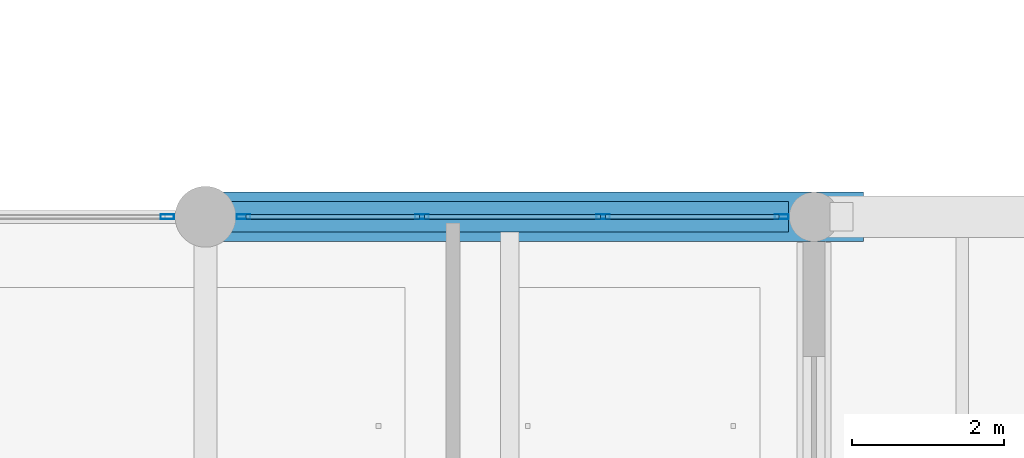
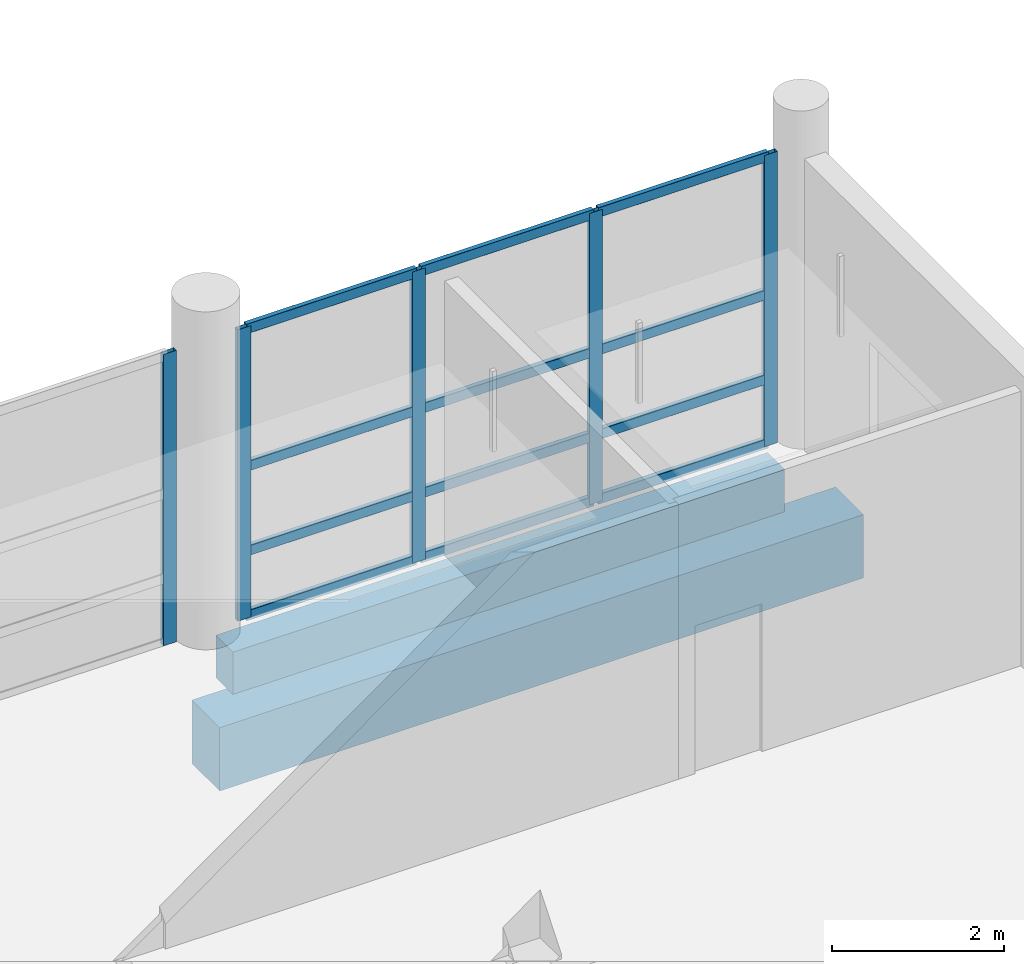
# One storey, part 31 of 107: 17 members, 2 beams, 2 elements without a shape of their own.
"""IFC4 building model written with IfcOpenShell, lengths in metres."""

from ifc_helpers import new_model, si_unit, direction, frame, origin, origin_2d, place, context, subcontext, project, spatial, rectangle, hollow_rectangle, extrude, material, material_profile, profile_set, type_object, element, aggregate, save


model = new_model("IFC4")

# Units and contexts
model_context = context("Model", 3, precision=1e-05, world=origin(), true_north=direction((0.0, 1.0)))
body_context = subcontext(model_context, "Body", "Model", "MODEL_VIEW")
ifc_project = project(units=[si_unit("LENGTHUNIT", "METRE"), si_unit("AREAUNIT", "SQUARE_METRE"), si_unit("VOLUMEUNIT", "CUBIC_METRE"), si_unit("PLANEANGLEUNIT", "RADIAN"), si_unit("MASSUNIT", "GRAM", prefix="KILO")], contexts=[model_context])

# Site, building, storey
site_placement = place(None, origin())
site = spatial("IfcSite", under=ifc_project, at=site_placement, CompositionType="ELEMENT")
building_placement = place(site_placement, origin())
building = spatial("IfcBuilding", under=site, at=building_placement, Name="Khelvaren Railside Concert Hall", CompositionType="ELEMENT")
storey_placement = place(building_placement, frame((0.0, 0.0, 15.0)))
storey = spatial("IfcBuildingStorey", under=building, at=storey_placement, Name="L03", CompositionType="ELEMENT", Elevation=15.0)

# Beam
ifc_material_1 = material(Name="Concrete C40/50", Category="concrete")
ifc_material_profile_1 = material_profile(ifc_material_1, rectangle(XDim=0.64990234375, YDim=0.89990234375, at=origin_2d()), Name="RCB 650x900")
ifc_profile_set_1 = profile_set([ifc_material_profile_1], Name="Concrete C40/50")
beam_type_1 = type_object("IfcBeamType", Name="BM18", PredefinedType="BEAM", material=ifc_profile_set_1)
beam_1_placement = place(storey_placement, frame((128.0, 15.199951171875, -1.639892578125), z_axis=(1.0, 0.0, 0.0), x_axis=(0.0, 1.0, 0.0)))
element("IfcBeam", 1, at=beam_1_placement, inside=storey, type_object=beam_type_1, Name="East Rehearsal Link Bridge L03 Seismic Corbel Seat 2", PredefinedType="BEAM", context=body_context, shape_type="SweptSolid", body=[
    extrude(rectangle(XDim=0.64990234375, YDim=0.89990234375, at=origin_2d()), origin(), (0.0, 0.0, 1.0), 8.64990234375),
])

# Curtain wall, member
ifc_material_2 = material(Name="Double-glazed low-E dark acoustic glass", Category="glass")
curtain_wall_type_1 = type_object("IfcCurtainWallType", Name="CW65", PredefinedType="USERDEFINED", material=ifc_material_2)
curtain_wall_1_placement = place(storey_placement, origin())
curtain_wall_1 = element("IfcCurtainWall", 2, at=curtain_wall_1_placement, inside=storey, type_object=curtain_wall_type_1, Name="Unitised Curtain Wall CW-V3-L03-N-120", ObjectType="UNITISED CURTAIN WALL", PredefinedType="USERDEFINED")
ifc_material_3 = material(Name="Anodised architectural aluminium 6063-T6", Category="aluminium")
ifc_material_profile_2 = material_profile(ifc_material_3, hollow_rectangle(XDim=0.06494140625, YDim=0.179931640625, WallThickness=0.00390625, InnerFilletRadius=0.001953125, OuterFilletRadius=0.00390625, at=origin_2d()), Name="CWM 65x180x4")
ifc_profile_set_2 = profile_set([ifc_material_profile_2], Name="Anodised architectural aluminium 6063-T6")
member_type_1 = type_object("IfcMemberType", Name="CWM63", PredefinedType="MULLION", material=ifc_profile_set_2)
member_1_placement = place(storey_placement, frame((127.5, 15.199951171875, 0.0), z_axis=(0.0, 0.0, 1.0), x_axis=(0.0, 1.0, 0.0)))
member_1 = element("IfcMember", 3, at=member_1_placement, type_object=member_type_1, Name="CW65 mullion 4", PredefinedType="MULLION", context=body_context, shape_type="SweptSolid", body=[
    extrude(hollow_rectangle(XDim=0.06494140625, YDim=0.179931640625, WallThickness=0.00390625, InnerFilletRadius=0.001953125, OuterFilletRadius=0.00390625, at=origin_2d()), origin(), (0.0, 0.0, 1.0), 4.139892578125),
])
aggregate(curtain_wall_1, [member_1])

# Curtain wall, members
curtain_wall_type_2 = type_object("IfcCurtainWallType", Name="CW69", PredefinedType="USERDEFINED", material=ifc_material_2)
curtain_wall_2_placement = place(storey_placement, origin())
curtain_wall_2 = element("IfcCurtainWall", 4, at=curtain_wall_2_placement, inside=storey, type_object=curtain_wall_type_2, Name="Unitised Curtain Wall CW-V3-L03-N-128", ObjectType="UNITISED CURTAIN WALL", PredefinedType="USERDEFINED")
member_2_placement = place(storey_placement, frame((128.5, 15.199951171875, 0.0), z_axis=(0.0, 0.0, 1.0), x_axis=(0.0, 1.0, 0.0)))
member_2 = element("IfcMember", 5, at=member_2_placement, type_object=member_type_1, Name="CW69 mullion 1", PredefinedType="MULLION", context=body_context, shape_type="SweptSolid", body=[
    extrude(hollow_rectangle(XDim=0.06494140625, YDim=0.179931640625, WallThickness=0.00390625, InnerFilletRadius=0.001953125, OuterFilletRadius=0.00390625, at=origin_2d()), origin(), (0.0, 0.0, 1.0), 4.139892578125),
])
member_3_placement = place(storey_placement, frame((130.847412109375, 15.199951171875, 0.0), z_axis=(0.0, 0.0, 1.0), x_axis=(0.0, 1.0, 0.0)))
member_3 = element("IfcMember", 6, at=member_3_placement, type_object=member_type_1, Name="CW69 mullion 2", PredefinedType="MULLION", context=body_context, shape_type="SweptSolid", body=[
    extrude(hollow_rectangle(XDim=0.06494140625, YDim=0.179931640625, WallThickness=0.00390625, InnerFilletRadius=0.001953125, OuterFilletRadius=0.00390625, at=origin_2d()), origin(), (0.0, 0.0, 1.0), 4.139892578125),
])
member_4_placement = place(storey_placement, frame((133.2275390625, 15.199951171875, 0.0), z_axis=(0.0, 0.0, 1.0), x_axis=(0.0, 1.0, 0.0)))
member_4 = element("IfcMember", 7, at=member_4_placement, type_object=member_type_1, Name="CW69 mullion 3", PredefinedType="MULLION", context=body_context, shape_type="SweptSolid", body=[
    extrude(hollow_rectangle(XDim=0.06494140625, YDim=0.179931640625, WallThickness=0.00390625, InnerFilletRadius=0.001953125, OuterFilletRadius=0.00390625, at=origin_2d()), origin(), (0.0, 0.0, 1.0), 4.139892578125),
])
member_5_placement = place(storey_placement, frame((135.574951171875, 15.199951171875, 0.0), z_axis=(0.0, 0.0, 1.0), x_axis=(0.0, 1.0, 0.0)))
member_5 = element("IfcMember", 8, at=member_5_placement, type_object=member_type_1, Name="CW69 mullion 4", PredefinedType="MULLION", context=body_context, shape_type="SweptSolid", body=[
    extrude(hollow_rectangle(XDim=0.06494140625, YDim=0.179931640625, WallThickness=0.00390625, InnerFilletRadius=0.001953125, OuterFilletRadius=0.00390625, at=origin_2d()), origin(), (0.0, 0.0, 1.0), 4.139892578125),
])
ifc_material_profile_3 = material_profile(ifc_material_3, hollow_rectangle(XDim=0.06494140625, YDim=0.139892578125, WallThickness=0.00390625, InnerFilletRadius=0.001953125, OuterFilletRadius=0.00390625, at=origin_2d()), Name="CWT 65x140x4")
ifc_profile_set_3 = profile_set([ifc_material_profile_3], Name="Anodised architectural aluminium 6063-T6")
member_type_2 = type_object("IfcMemberType", Name="CWT72", PredefinedType="USERDEFINED", material=ifc_profile_set_3)
member_6_placement = place(storey_placement, frame((128.532470703125, 15.199951171875, 0.032470703125), z_axis=(1.0, 0.0, 0.0), x_axis=(0.0, 1.0, 0.0)))
member_6 = element("IfcMember", 9, at=member_6_placement, type_object=member_type_2, Name="CW69 transom 1.1", ObjectType="TRANSOM", PredefinedType="USERDEFINED", context=body_context, shape_type="SweptSolid", body=[
    extrude(hollow_rectangle(XDim=0.06494140625, YDim=0.139892578125, WallThickness=0.00390625, InnerFilletRadius=0.001953125, OuterFilletRadius=0.00390625, at=origin_2d()), origin(), (0.0, 0.0, 1.0), 2.282470703125),
])
member_7_placement = place(storey_placement, frame((128.532470703125, 15.199951171875, 0.949951171875), z_axis=(1.0, 0.0, 0.0), x_axis=(0.0, 1.0, 0.0)))
member_7 = element("IfcMember", 10, at=member_7_placement, type_object=member_type_2, Name="CW69 transom 1.2", ObjectType="TRANSOM", PredefinedType="USERDEFINED", context=body_context, shape_type="SweptSolid", body=[
    extrude(hollow_rectangle(XDim=0.06494140625, YDim=0.139892578125, WallThickness=0.00390625, InnerFilletRadius=0.001953125, OuterFilletRadius=0.00390625, at=origin_2d()), origin(), (0.0, 0.0, 1.0), 2.282470703125),
])
member_8_placement = place(storey_placement, frame((128.532470703125, 15.199951171875, 2.15283203125), z_axis=(1.0, 0.0, 0.0), x_axis=(0.0, 1.0, 0.0)))
member_8 = element("IfcMember", 11, at=member_8_placement, type_object=member_type_2, Name="CW69 transom 1.3", ObjectType="TRANSOM", PredefinedType="USERDEFINED", context=body_context, shape_type="SweptSolid", body=[
    extrude(hollow_rectangle(XDim=0.06494140625, YDim=0.139892578125, WallThickness=0.00390625, InnerFilletRadius=0.001953125, OuterFilletRadius=0.00390625, at=origin_2d()), origin(), (0.0, 0.0, 1.0), 2.282470703125),
])
member_9_placement = place(storey_placement, frame((128.532470703125, 15.199951171875, 4.107421875), z_axis=(1.0, 0.0, 0.0), x_axis=(0.0, 1.0, 0.0)))
member_9 = element("IfcMember", 12, at=member_9_placement, type_object=member_type_2, Name="CW69 transom 1.4", ObjectType="TRANSOM", PredefinedType="USERDEFINED", context=body_context, shape_type="SweptSolid", body=[
    extrude(hollow_rectangle(XDim=0.06494140625, YDim=0.139892578125, WallThickness=0.00390625, InnerFilletRadius=0.001953125, OuterFilletRadius=0.00390625, at=origin_2d()), origin(), (0.0, 0.0, 1.0), 2.282470703125),
])
member_10_placement = place(storey_placement, frame((130.8798828125, 15.199951171875, 0.032470703125), z_axis=(1.0, 0.0, 0.0), x_axis=(0.0, 1.0, 0.0)))
member_10 = element("IfcMember", 13, at=member_10_placement, type_object=member_type_2, Name="CW69 transom 2.1", ObjectType="TRANSOM", PredefinedType="USERDEFINED", context=body_context, shape_type="SweptSolid", body=[
    extrude(hollow_rectangle(XDim=0.06494140625, YDim=0.139892578125, WallThickness=0.00390625, InnerFilletRadius=0.001953125, OuterFilletRadius=0.00390625, at=origin_2d()), origin(), (0.0, 0.0, 1.0), 2.315185546875),
])
member_11_placement = place(storey_placement, frame((130.8798828125, 15.199951171875, 0.949951171875), z_axis=(1.0, 0.0, 0.0), x_axis=(0.0, 1.0, 0.0)))
member_11 = element("IfcMember", 14, at=member_11_placement, type_object=member_type_2, Name="CW69 transom 2.2", ObjectType="TRANSOM", PredefinedType="USERDEFINED", context=body_context, shape_type="SweptSolid", body=[
    extrude(hollow_rectangle(XDim=0.06494140625, YDim=0.139892578125, WallThickness=0.00390625, InnerFilletRadius=0.001953125, OuterFilletRadius=0.00390625, at=origin_2d()), origin(), (0.0, 0.0, 1.0), 2.315185546875),
])
member_12_placement = place(storey_placement, frame((130.8798828125, 15.199951171875, 2.15283203125), z_axis=(1.0, 0.0, 0.0), x_axis=(0.0, 1.0, 0.0)))
member_12 = element("IfcMember", 15, at=member_12_placement, type_object=member_type_2, Name="CW69 transom 2.3", ObjectType="TRANSOM", PredefinedType="USERDEFINED", context=body_context, shape_type="SweptSolid", body=[
    extrude(hollow_rectangle(XDim=0.06494140625, YDim=0.139892578125, WallThickness=0.00390625, InnerFilletRadius=0.001953125, OuterFilletRadius=0.00390625, at=origin_2d()), origin(), (0.0, 0.0, 1.0), 2.315185546875),
])
member_13_placement = place(storey_placement, frame((130.8798828125, 15.199951171875, 4.107421875), z_axis=(1.0, 0.0, 0.0), x_axis=(0.0, 1.0, 0.0)))
member_13 = element("IfcMember", 16, at=member_13_placement, type_object=member_type_2, Name="CW69 transom 2.4", ObjectType="TRANSOM", PredefinedType="USERDEFINED", context=body_context, shape_type="SweptSolid", body=[
    extrude(hollow_rectangle(XDim=0.06494140625, YDim=0.139892578125, WallThickness=0.00390625, InnerFilletRadius=0.001953125, OuterFilletRadius=0.00390625, at=origin_2d()), origin(), (0.0, 0.0, 1.0), 2.315185546875),
])
member_14_placement = place(storey_placement, frame((133.260009765625, 15.199951171875, 0.032470703125), z_axis=(1.0, 0.0, 0.0), x_axis=(0.0, 1.0, 0.0)))
member_14 = element("IfcMember", 17, at=member_14_placement, type_object=member_type_2, Name="CW69 transom 3.1", ObjectType="TRANSOM", PredefinedType="USERDEFINED", context=body_context, shape_type="SweptSolid", body=[
    extrude(hollow_rectangle(XDim=0.06494140625, YDim=0.139892578125, WallThickness=0.00390625, InnerFilletRadius=0.001953125, OuterFilletRadius=0.00390625, at=origin_2d()), origin(), (0.0, 0.0, 1.0), 2.282470703125),
])
member_15_placement = place(storey_placement, frame((133.260009765625, 15.199951171875, 0.949951171875), z_axis=(1.0, 0.0, 0.0), x_axis=(0.0, 1.0, 0.0)))
member_15 = element("IfcMember", 18, at=member_15_placement, type_object=member_type_2, Name="CW69 transom 3.2", ObjectType="TRANSOM", PredefinedType="USERDEFINED", context=body_context, shape_type="SweptSolid", body=[
    extrude(hollow_rectangle(XDim=0.06494140625, YDim=0.139892578125, WallThickness=0.00390625, InnerFilletRadius=0.001953125, OuterFilletRadius=0.00390625, at=origin_2d()), origin(), (0.0, 0.0, 1.0), 2.282470703125),
])
member_16_placement = place(storey_placement, frame((133.260009765625, 15.199951171875, 2.15283203125), z_axis=(1.0, 0.0, 0.0), x_axis=(0.0, 1.0, 0.0)))
member_16 = element("IfcMember", 19, at=member_16_placement, type_object=member_type_2, Name="CW69 transom 3.3", ObjectType="TRANSOM", PredefinedType="USERDEFINED", context=body_context, shape_type="SweptSolid", body=[
    extrude(hollow_rectangle(XDim=0.06494140625, YDim=0.139892578125, WallThickness=0.00390625, InnerFilletRadius=0.001953125, OuterFilletRadius=0.00390625, at=origin_2d()), origin(), (0.0, 0.0, 1.0), 2.282470703125),
])
member_17_placement = place(storey_placement, frame((133.260009765625, 15.199951171875, 4.107421875), z_axis=(1.0, 0.0, 0.0), x_axis=(0.0, 1.0, 0.0)))
member_17 = element("IfcMember", 20, at=member_17_placement, type_object=member_type_2, Name="CW69 transom 3.4", ObjectType="TRANSOM", PredefinedType="USERDEFINED", context=body_context, shape_type="SweptSolid", body=[
    extrude(hollow_rectangle(XDim=0.06494140625, YDim=0.139892578125, WallThickness=0.00390625, InnerFilletRadius=0.001953125, OuterFilletRadius=0.00390625, at=origin_2d()), origin(), (0.0, 0.0, 1.0), 2.282470703125),
])
aggregate(curtain_wall_2, [member_2, member_3, member_4, member_5, member_6, member_7, member_8, member_9, member_10, member_11, member_12, member_13, member_14, member_15, member_16, member_17])

# Beam
ifc_material_profile_4 = material_profile(ifc_material_1, rectangle(XDim=0.39990234375, YDim=0.60009765625, at=origin_2d()), Name="RCB 400x600")
ifc_profile_set_4 = profile_set([ifc_material_profile_4], Name="Concrete C40/50")
beam_type_2 = type_object("IfcBeamType", Name="SP75", PredefinedType="SPANDREL", material=ifc_profile_set_4)
beam_2_placement = place(storey_placement, frame((128.25, 15.199951171875, -0.580078125), z_axis=(1.0, 0.0, 0.0), x_axis=(0.0, 1.0, 0.0)))
element("IfcBeam", 21, at=beam_2_placement, inside=storey, type_object=beam_type_2, Name="V3 L03 Spandrel X3.9", PredefinedType="SPANDREL", context=body_context, shape_type="SweptSolid", body=[
    extrude(rectangle(XDim=0.39990234375, YDim=0.60009765625, at=origin_2d()), origin(), (0.0, 0.0, 1.0), 7.4140625),
])

save(model, "model.ifc")
